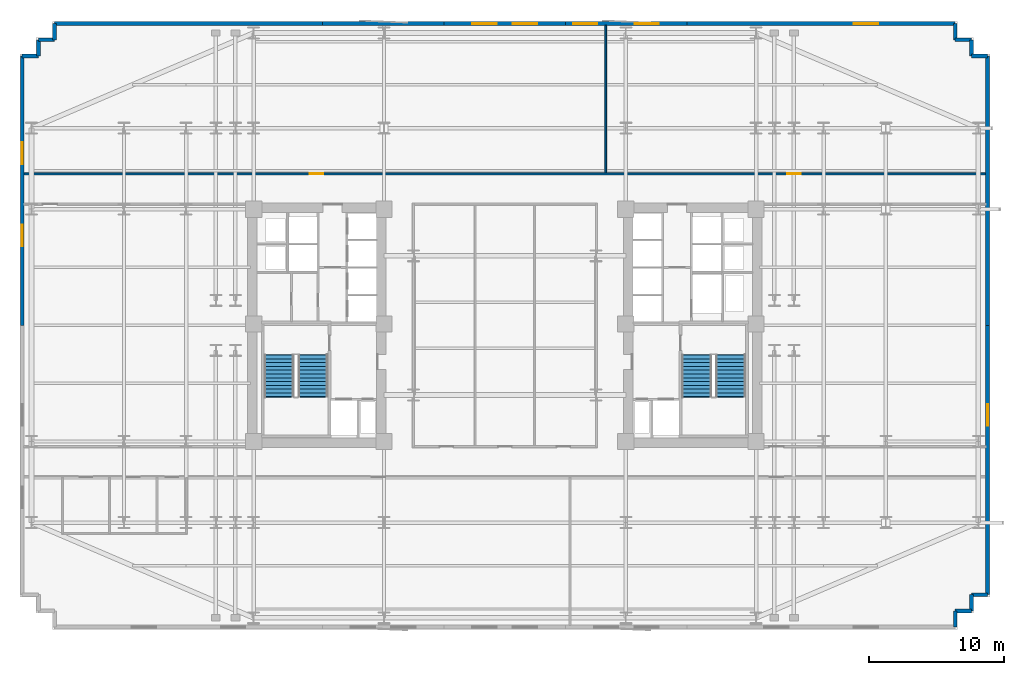
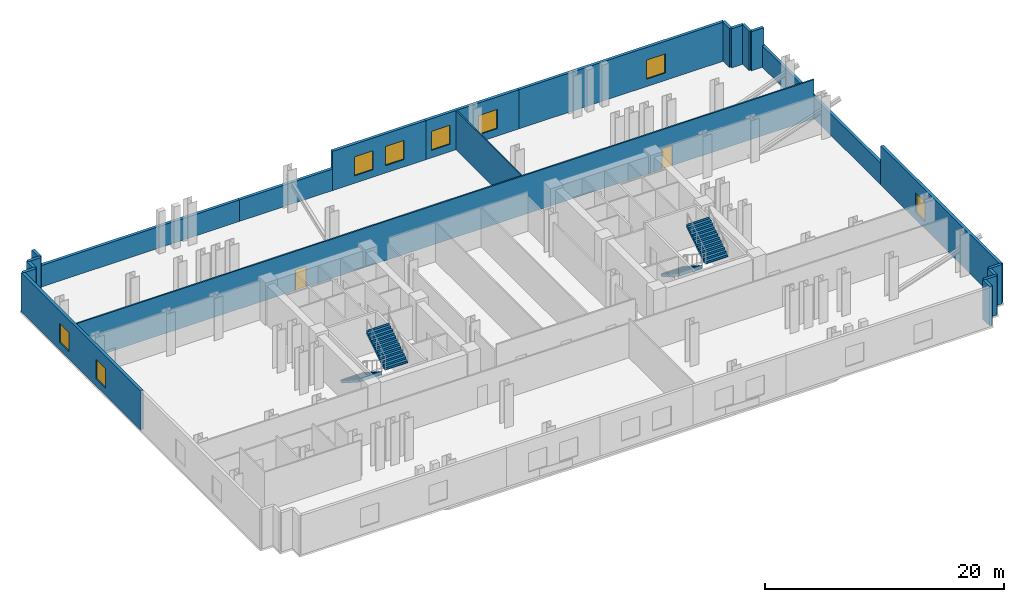
# One storey, part 7 of 9: 22 walls, 8 windows, 4 stair flights, 2 doors, 10 openings, 2 elements without a shape of their own.
"""IFC4 building model written with IfcOpenShell, lengths in metres."""

import ifcopenshell
import ifcopenshell.guid

model = None  # the IFC model being written
_history = None  # IfcOwnerHistory: only IFC2X3 demands one
_inside = {}  # id of a spatial element -> (the spatial element, [elements in it])
_under = {}  # id of a project, library or spatial element -> (it, [spatial elements below it])
_declared = {}  # id of a project -> (the project, [libraries it declares])
_typed = {}  # id of a type object -> (the type object, [elements of that type])
_made_of = {}  # id of a material, layer set ... -> (it, [elements and type objects made of it])


def new_model(schema):
    """Start an empty IFC model of exactly this schema.

    Asked for "IFC4X3", IfcOpenShell would pick the latest addendum, in which some entities
    have other attributes; the version numbers below select the first issue.
    IFC2X3 requires an IfcOwnerHistory on every rooted entity: one is made here for all.
    """
    global model, _history
    if schema == "IFC4X3":
        model = ifcopenshell.file(schema_version=(4, 3, 0, 0))
    else:
        model = ifcopenshell.file(schema=schema)
    _inside.clear()
    _under.clear()
    _declared.clear()
    _typed.clear()
    _made_of.clear()
    _history = None
    if model.schema == "IFC2X3":
        org = make("IfcOrganization", Name="unknown")
        user = make(
            "IfcPersonAndOrganization",
            ThePerson=make("IfcPerson", FamilyName="unknown"),
            TheOrganization=org,
        )
        app = make(
            "IfcApplication",
            ApplicationDeveloper=org,
            Version="unknown",
            ApplicationFullName="unknown",
            ApplicationIdentifier="unknown",
        )
        _history = make(
            "IfcOwnerHistory",
            OwningUser=user,
            OwningApplication=app,
            ChangeAction="ADDED",
            CreationDate=0,
        )
    return model


def make(cls, **values):
    """One entity of the class cls with the attributes given. An attribute that is None is left unset."""
    return model.create_entity(
        cls, **{name: value for name, value in values.items() if value is not None}
    )


def rooted(cls, **values):
    """An entity with a GlobalId (a new one), such as an element, a storey or a relation."""
    return make(cls, GlobalId=ifcopenshell.guid.new(), OwnerHistory=_history, **values)


def si_unit(unit_type, name, prefix=None):
    """IfcSIUnit, for example si_unit("LENGTHUNIT", "METRE", prefix="MILLI")."""
    return make("IfcSIUnit", UnitType=unit_type, Prefix=prefix, Name=name)


def assignment(units):
    """IfcUnitAssignment: the units of a project."""
    return None if units is None else make("IfcUnitAssignment", Units=units)


def point(xyz):
    """IfcCartesianPoint."""
    return None if xyz is None else make("IfcCartesianPoint", Coordinates=xyz)


def direction(xyz):
    """IfcDirection."""
    return None if xyz is None else make("IfcDirection", DirectionRatios=xyz)


def frame(location, z_axis=None, x_axis=None):
    """IfcAxis2Placement3D, a coordinate frame: its origin and axes. An axis left out is left unset."""
    return make(
        "IfcAxis2Placement3D",
        Location=point(location),
        Axis=direction(z_axis),
        RefDirection=direction(x_axis),
    )


def frame_2d(location, x_axis=None):
    """IfcAxis2Placement2D, a coordinate frame in the plane: its origin and x axis."""
    return make(
        "IfcAxis2Placement2D", Location=point(location), RefDirection=direction(x_axis)
    )


def origin():
    """The frame at (0, 0, 0) with its axes left unset."""
    return frame((0.0, 0.0, 0.0))


def place(relative_to, where):
    """IfcLocalPlacement: puts the frame where relative to a parent placement (None: the world)."""
    return make(
        "IfcLocalPlacement", PlacementRelTo=relative_to, RelativePlacement=where
    )


def context(
    kind, dimensions, precision=None, world=None, true_north=None, identifier=None
):
    """IfcGeometricRepresentationContext, for example the 3D "Model" context."""
    return make(
        "IfcGeometricRepresentationContext",
        ContextIdentifier=identifier,
        ContextType=kind,
        CoordinateSpaceDimension=dimensions,
        Precision=precision,
        WorldCoordinateSystem=world,
        TrueNorth=true_north,
    )


def subcontext(parent, identifier, kind, view, scale=None):
    """IfcGeometricRepresentationSubContext, for example "Body" below "Model"."""
    return make(
        "IfcGeometricRepresentationSubContext",
        ContextIdentifier=identifier,
        ContextType=kind,
        ParentContext=parent,
        TargetScale=scale,
        TargetView=view,
    )


def project(units=None, contexts=None):
    """IfcProject with its units and contexts."""
    return rooted(
        "IfcProject",
        Name="project",
        RepresentationContexts=contexts,
        UnitsInContext=assignment(units),
    )


def spatial(cls, under=None, at=None, **own):
    """A site, building, storey or space (cls), placed at a placement, below another one or the project."""
    s = rooted(cls, ObjectPlacement=at, **own)
    if under is not None:
        _under.setdefault(under.id(), (under, []))[1].append(s)
    return s


def polyline(points):
    """IfcPolyline through the points."""
    return make("IfcPolyline", Points=[point(p) for p in points])


def profile(cls, at=None, kind="AREA", **sizes):
    """A parametric profile (cls). Its sizes go by their IFC names, for example OverallWidth=200.0."""
    return make(cls, ProfileType=kind, Position=at, **sizes)


def rectangle(**sizes):
    """IfcRectangleProfileDef."""
    return profile("IfcRectangleProfileDef", **sizes)


def outline(outer, holes=None, kind="AREA"):
    """IfcArbitraryClosedProfileDef: a profile drawn as a closed curve; with holes, ...WithVoids."""
    if holes is None:
        return make("IfcArbitraryClosedProfileDef", ProfileType=kind, OuterCurve=outer)
    return make(
        "IfcArbitraryProfileDefWithVoids",
        ProfileType=kind,
        OuterCurve=outer,
        InnerCurves=holes,
    )


def extrude(swept, where, along, depth):
    """IfcExtrudedAreaSolid: the profile swept, set in the frame where, extruded along a direction by depth."""
    return make(
        "IfcExtrudedAreaSolid",
        SweptArea=swept,
        Position=where,
        ExtrudedDirection=direction(along),
        Depth=depth,
    )


def shape(context_of_items, identifier, shape_type, items):
    """IfcShapeRepresentation: the items that make up one representation, for example the "Body"."""
    return make(
        "IfcShapeRepresentation",
        ContextOfItems=context_of_items,
        RepresentationIdentifier=identifier,
        RepresentationType=shape_type,
        Items=items,
    )


def material(Name=None, Category=None):
    """IfcMaterial."""
    return make("IfcMaterial", Name=Name, Category=Category)


def layer(
    of_material, thickness, ventilated=None, Name=None, Category=None, Priority=None
):
    """IfcMaterialLayer: one layer of a wall or slab, of a material (None: an air gap)."""
    return make(
        "IfcMaterialLayer",
        Material=of_material,
        LayerThickness=thickness,
        IsVentilated=ventilated,
        Name=Name,
        Category=Category,
        Priority=Priority,
    )


def layer_set(layers, Name=None):
    """IfcMaterialLayerSet."""
    return make("IfcMaterialLayerSet", MaterialLayers=layers, LayerSetName=Name)


def made_of(thing, what):
    """Note that an element or type object is made of a material, layer set ...; save() writes the relation."""
    if what is not None:
        _made_of.setdefault(what.id(), (what, []))[1].append(thing)
    return thing


def type_object(cls, material=None, **own):
    """A type object (cls), such as IfcWallType, which elements share."""
    return made_of(rooted(cls, **own), material)


def element(
    cls,
    number,
    at=None,
    inside=None,
    cuts=None,
    type_object=None,
    material=None,
    context=None,
    identifier="Body",
    shape_type=None,
    held_by="IfcProductDefinitionShape",
    body=None,
    shapes=None,
    **own,
):
    """One element of the class cls, such as IfcWall. Its Tag is "e" and its number.

    at: its placement. inside: the storey or other place that contains it. cuts: it is an
    opening in that element (IfcRelVoidsElement). A single representation is given by context,
    identifier, shape_type and body (its items); several are given by shapes. held_by: the class
    of the entity that holds the representations. save() writes the other relations.
    """
    e = rooted(cls, Tag="e%d" % number, ObjectPlacement=at, **own)
    if body is not None:
        shapes = [shape(context, identifier, shape_type, body)]
    if shapes is not None:
        e.Representation = make(held_by, Representations=shapes)
    if inside is not None:
        _inside.setdefault(inside.id(), (inside, []))[1].append(e)
    if cuts is not None:
        rooted(
            "IfcRelVoidsElement", RelatingBuildingElement=cuts, RelatedOpeningElement=e
        )
    if type_object is not None:
        _typed.setdefault(type_object.id(), (type_object, []))[1].append(e)
    return made_of(e, material)


def fill(opening, filler):
    """IfcRelFillsElement: the door or window that sits in an opening."""
    return rooted(
        "IfcRelFillsElement",
        RelatingOpeningElement=opening,
        RelatedBuildingElement=filler,
    )


def aggregate(whole, parts):
    """IfcRelAggregates: a whole, such as a stair, and the parts it consists of."""
    return rooted("IfcRelAggregates", RelatingObject=whole, RelatedObjects=parts)


def save(model, path):
    """Write the relations noted so far, then the file.

    IfcRelAggregates (storeys below a building ...), IfcRelContainedInSpatialStructure (elements
    in a storey), IfcRelDefinesByType, IfcRelAssociatesMaterial and IfcRelDeclares: one each for
    every whole, place, type object, material and project.
    """
    for whole, parts in _under.values():
        aggregate(whole, parts)
    for where, things in _inside.values():
        rooted(
            "IfcRelContainedInSpatialStructure",
            RelatedElements=things,
            RelatingStructure=where,
        )
    for kind, things in _typed.values():
        rooted("IfcRelDefinesByType", RelatedObjects=things, RelatingType=kind)
    for what, things in _made_of.values():
        rooted("IfcRelAssociatesMaterial", RelatedObjects=things, RelatingMaterial=what)
    for by, libraries in _declared.values():
        rooted("IfcRelDeclares", RelatingContext=by, RelatedDefinitions=libraries)
    model.write(path)


model = new_model("IFC4")

# Units and contexts
model_context = context("Model", 3, precision=1e-05, world=origin(), true_north=direction((0.0, 1.0)))
body_context = subcontext(model_context, "Body", "Model", "MODEL_VIEW")
ifc_project = project(units=[si_unit("LENGTHUNIT", "METRE"), si_unit("AREAUNIT", "SQUARE_METRE"), si_unit("VOLUMEUNIT", "CUBIC_METRE"), si_unit("PLANEANGLEUNIT", "RADIAN"), si_unit("MASSUNIT", "GRAM", prefix="KILO")], contexts=[model_context])

# Site, building, storey
site_placement = place(None, origin())
site = spatial("IfcSite", under=ifc_project, at=site_placement, CompositionType="ELEMENT")
building_placement = place(site_placement, origin())
building = spatial("IfcBuilding", under=site, at=building_placement, Name="Velakula Bourse", CompositionType="ELEMENT")
storey_placement = place(building_placement, frame((0.0, 0.0, 65.699951171875)))
storey = spatial("IfcBuildingStorey", under=building, at=storey_placement, Name="L17", CompositionType="ELEMENT", Elevation=65.699951171875)

# Walls
ifc_material_1 = material(Name="Red kilned clay facing brick masonry", Category="masonry")
ifc_layer_1 = layer(ifc_material_1, 0.280029296875, Name="Red kilned clay facing brick masonry", Category="masonry")
ifc_layer_set_1 = layer_set([ifc_layer_1], Name="Red kilned clay facing brick masonry")
wall_type_1 = type_object("IfcWallType", Name="WL-EXT-BRK-280", PredefinedType="STANDARD", material=ifc_layer_set_1)
wall_1_placement = place(storey_placement, frame((-33.340087890625, 22.340087890625, 0.0), z_axis=(0.0, 0.0, 1.0), x_axis=(1.0, 0.0, 0.0)))
element("IfcWall", 1, at=wall_1_placement, inside=storey, type_object=wall_type_1, Name="L17 N Brick Spandrel Wall B1", PredefinedType="STANDARD", context=body_context, shape_type="SweptSolid", body=[
    extrude(rectangle(XDim=19.840087890625, YDim=0.280029296875, at=frame_2d((9.919921875, 0.0))), origin(), (0.0, 0.0, 1.0), 2.195068359375),
])
wall_2_placement = place(storey_placement, frame((-13.5, 22.340087890625, 0.0), z_axis=(0.0, 0.0, 1.0), x_axis=(1.0, 0.0, 0.0)))
element("IfcWall", 2, at=wall_2_placement, inside=storey, type_object=wall_type_1, Name="L17 N Brick Spandrel Wall B2", PredefinedType="STANDARD", context=body_context, shape_type="SweptSolid", body=[
    extrude(rectangle(XDim=9.0, YDim=0.280029296875, at=frame_2d((4.5, 0.0))), origin(), (0.0, 0.0, 1.0), 2.195068359375),
])

# Wall, openings, windows
wall_3_placement = place(storey_placement, frame((-4.5, 22.340087890625, 0.0), z_axis=(0.0, 0.0, 1.0), x_axis=(1.0, 0.0, 0.0)))
wall_3 = element("IfcWall", 3, at=wall_3_placement, inside=storey, type_object=wall_type_1, Name="L17 N Brick Spandrel Wall B3", PredefinedType="STANDARD", context=body_context, shape_type="SweptSolid", body=[
    extrude(rectangle(XDim=9.0, YDim=0.280029296875, at=frame_2d((4.5, 0.0))), origin(), (0.0, 0.0, 1.0), 4.0),
])
opening_1_placement = place(wall_3_placement, frame((2.10009765625, 0.0, 0.760009765625)))
opening_1 = element("IfcOpeningElement", 4, at=opening_1_placement, cuts=wall_3, Name="Opening W-01", PredefinedType="OPENING", context=body_context, shape_type="SweptSolid", body=[
    extrude(rectangle(XDim=1.800048828125, YDim=1.949951171875, at=frame_2d((0.89990234375, 0.97509765625))), frame((0.0, 0.14990234375, 0.0), z_axis=(0.0, -1.0, 0.0), x_axis=(1.0, 0.0, 0.0)), (0.0, 0.0, 1.0), 0.300048828125),
])
opening_2_placement = place(wall_3_placement, frame((5.10009765625, 0.0, 0.760009765625)))
opening_2 = element("IfcOpeningElement", 5, at=opening_2_placement, cuts=wall_3, Name="Opening W-01", PredefinedType="OPENING", context=body_context, shape_type="SweptSolid", body=[
    extrude(rectangle(XDim=1.800048828125, YDim=1.949951171875, at=frame_2d((0.89990234375, 0.97509765625))), frame((0.0, 0.14990234375, 0.0), z_axis=(0.0, -1.0, 0.0), x_axis=(1.0, 0.0, 0.0)), (0.0, 0.0, 1.0), 0.300048828125),
])
ifc_material_2 = material(Name="Double-glazed solar-control Low-E glass", Category="glass")
window_type_1 = type_object("IfcWindowType", Name="WIN-TWR-1800x2100", PartitioningType="SINGLE_PANEL", PredefinedType="WINDOW", material=ifc_material_2)
window_1_placement = place(opening_1_placement, origin())
window_1 = element("IfcWindow", 6, at=window_1_placement, inside=storey, type_object=window_type_1, Name="L17 Deep-Set Recessed Window 1", OverallHeight=1.949951171875, OverallWidth=1.800048828125, PartitioningType="SINGLE_PANEL", PredefinedType="WINDOW", context=body_context, shape_type="SweptSolid", body=[
    extrude(rectangle(XDim=1.800048828125, YDim=1.949951171875, at=frame_2d((0.89990234375, 0.97509765625))), frame((0.0, 0.030029296875, 0.0), z_axis=(0.0, -1.0, 0.0), x_axis=(1.0, 0.0, 0.0)), (0.0, 0.0, 1.0), 0.06005859375),
])
fill(opening_1, window_1)
window_2_placement = place(opening_2_placement, origin())
window_2 = element("IfcWindow", 7, at=window_2_placement, inside=storey, type_object=window_type_1, Name="L17 Deep-Set Recessed Window 2", OverallHeight=1.949951171875, OverallWidth=1.800048828125, PartitioningType="SINGLE_PANEL", PredefinedType="WINDOW", context=body_context, shape_type="SweptSolid", body=[
    extrude(rectangle(XDim=1.800048828125, YDim=1.949951171875, at=frame_2d((0.89990234375, 0.97509765625))), frame((0.0, 0.030029296875, 0.0), z_axis=(0.0, -1.0, 0.0), x_axis=(1.0, 0.0, 0.0)), (0.0, 0.0, 1.0), 0.06005859375),
])
fill(opening_2, window_2)

wall_4_placement = place(storey_placement, frame((4.5, 22.340087890625, 0.0), z_axis=(0.0, 0.0, 1.0), x_axis=(1.0, 0.0, 0.0)))
wall_4 = element("IfcWall", 8, at=wall_4_placement, inside=storey, type_object=wall_type_1, Name="L17 N Brick Spandrel Wall B4", PredefinedType="STANDARD", context=body_context, shape_type="SweptSolid", body=[
    extrude(rectangle(XDim=9.0, YDim=0.280029296875, at=frame_2d((4.5, 0.0))), origin(), (0.0, 0.0, 1.0), 4.0),
])
opening_3_placement = place(wall_4_placement, frame((0.550048828125, 0.0, 0.760009765625)))
opening_3 = element("IfcOpeningElement", 9, at=opening_3_placement, cuts=wall_4, Name="Opening W-01", PredefinedType="OPENING", context=body_context, shape_type="SweptSolid", body=[
    extrude(rectangle(XDim=1.800048828125, YDim=1.949951171875, at=frame_2d((0.89990234375, 0.97509765625))), frame((0.0, 0.14990234375, 0.0), z_axis=(0.0, -1.0, 0.0), x_axis=(1.0, 0.0, 0.0)), (0.0, 0.0, 1.0), 0.300048828125),
])
opening_4_placement = place(wall_4_placement, frame((5.10009765625, 0.0, 0.760009765625)))
opening_4 = element("IfcOpeningElement", 10, at=opening_4_placement, cuts=wall_4, Name="Opening W-01", PredefinedType="OPENING", context=body_context, shape_type="SweptSolid", body=[
    extrude(rectangle(XDim=1.800048828125, YDim=1.949951171875, at=frame_2d((0.89990234375, 0.97509765625))), frame((0.0, 0.14990234375, 0.0), z_axis=(0.0, -1.0, 0.0), x_axis=(1.0, 0.0, 0.0)), (0.0, 0.0, 1.0), 0.300048828125),
])
window_3_placement = place(opening_3_placement, origin())
window_3 = element("IfcWindow", 11, at=window_3_placement, inside=storey, type_object=window_type_1, Name="L17 Deep-Set Recessed Window 1", OverallHeight=1.949951171875, OverallWidth=1.800048828125, PartitioningType="SINGLE_PANEL", PredefinedType="WINDOW", context=body_context, shape_type="SweptSolid", body=[
    extrude(rectangle(XDim=1.800048828125, YDim=1.949951171875, at=frame_2d((0.89990234375, 0.97509765625))), frame((0.0, 0.030029296875, 0.0), z_axis=(0.0, -1.0, 0.0), x_axis=(1.0, 0.0, 0.0)), (0.0, 0.0, 1.0), 0.06005859375),
])
fill(opening_3, window_3)
window_4_placement = place(opening_4_placement, origin())
window_4 = element("IfcWindow", 12, at=window_4_placement, inside=storey, type_object=window_type_1, Name="L17 Deep-Set Recessed Window 2", OverallHeight=1.949951171875, OverallWidth=1.800048828125, PartitioningType="SINGLE_PANEL", PredefinedType="WINDOW", context=body_context, shape_type="SweptSolid", body=[
    extrude(rectangle(XDim=1.800048828125, YDim=1.949951171875, at=frame_2d((0.89990234375, 0.97509765625))), frame((0.0, 0.030029296875, 0.0), z_axis=(0.0, -1.0, 0.0), x_axis=(1.0, 0.0, 0.0)), (0.0, 0.0, 1.0), 0.06005859375),
])
fill(opening_4, window_4)

# Wall, opening, window
wall_5_placement = place(storey_placement, frame((13.5, 22.340087890625, 0.0), z_axis=(0.0, 0.0, 1.0), x_axis=(1.0, 0.0, 0.0)))
wall_5 = element("IfcWall", 13, at=wall_5_placement, inside=storey, type_object=wall_type_1, Name="L17 N Brick Spandrel Wall B5", PredefinedType="STANDARD", context=body_context, shape_type="SweptSolid", body=[
    extrude(rectangle(XDim=19.840087890625, YDim=0.280029296875, at=frame_2d((9.919921875, 0.0))), origin(), (0.0, 0.0, 1.0), 4.0),
])
opening_5_placement = place(wall_5_placement, frame((12.32666015625, 0.0, 0.760009765625)))
opening_5 = element("IfcOpeningElement", 14, at=opening_5_placement, cuts=wall_5, Name="Opening W-01", PredefinedType="OPENING", context=body_context, shape_type="SweptSolid", body=[
    extrude(rectangle(XDim=1.800048828125, YDim=1.949951171875, at=frame_2d((0.89990234375, 0.97509765625))), frame((0.0, 0.14990234375, 0.0), z_axis=(0.0, -1.0, 0.0), x_axis=(1.0, 0.0, 0.0)), (0.0, 0.0, 1.0), 0.300048828125),
])
window_5_placement = place(opening_5_placement, origin())
window_5 = element("IfcWindow", 15, at=window_5_placement, inside=storey, type_object=window_type_1, Name="L17 Deep-Set Recessed Window 1", OverallHeight=1.949951171875, OverallWidth=1.800048828125, PartitioningType="SINGLE_PANEL", PredefinedType="WINDOW", context=body_context, shape_type="SweptSolid", body=[
    extrude(rectangle(XDim=1.800048828125, YDim=1.949951171875, at=frame_2d((0.89990234375, 0.97509765625))), frame((0.0, 0.030029296875, 0.0), z_axis=(0.0, -1.0, 0.0), x_axis=(1.0, 0.0, 0.0)), (0.0, 0.0, 1.0), 0.06005859375),
])
fill(opening_5, window_5)

# Wall, openings, windows
wall_6_placement = place(storey_placement, frame((-35.739990234375, 0.0, 0.0), z_axis=(0.0, 0.0, 1.0), x_axis=(0.0, 1.0, 0.0)))
wall_6 = element("IfcWall", 16, at=wall_6_placement, inside=storey, type_object=wall_type_1, Name="L17 W Brick End Wall W2", PredefinedType="STANDARD", context=body_context, shape_type="SweptSolid", body=[
    extrude(rectangle(XDim=19.93994140625, YDim=0.280029296875, at=frame_2d((9.969970703125, 0.0))), origin(), (0.0, 0.0, 1.0), 4.0),
])
opening_6_placement = place(wall_6_placement, frame((5.8466796875, 0.0, 0.760009765625)))
opening_6 = element("IfcOpeningElement", 17, at=opening_6_placement, cuts=wall_6, Name="Opening W-02", PredefinedType="OPENING", context=body_context, shape_type="SweptSolid", body=[
    extrude(rectangle(XDim=1.60009765625, YDim=1.949951171875, at=frame_2d((0.800048828125, 0.97509765625))), frame((0.0, 0.14990234375, 0.0), z_axis=(0.0, -1.0, 0.0), x_axis=(1.0, 0.0, 0.0)), (0.0, 0.0, 1.0), 0.300048828125),
])
opening_7_placement = place(wall_6_placement, frame((11.943359375, 0.0, 0.760009765625)))
opening_7 = element("IfcOpeningElement", 18, at=opening_7_placement, cuts=wall_6, Name="Opening W-02", PredefinedType="OPENING", context=body_context, shape_type="SweptSolid", body=[
    extrude(rectangle(XDim=1.60009765625, YDim=1.949951171875, at=frame_2d((0.800048828125, 0.97509765625))), frame((0.0, 0.14990234375, 0.0), z_axis=(0.0, -1.0, 0.0), x_axis=(1.0, 0.0, 0.0)), (0.0, 0.0, 1.0), 0.300048828125),
])
window_type_2 = type_object("IfcWindowType", Name="WIN-TWR-1600x2100", PartitioningType="SINGLE_PANEL", PredefinedType="WINDOW", material=ifc_material_2)
window_6_placement = place(opening_6_placement, origin())
window_6 = element("IfcWindow", 19, at=window_6_placement, inside=storey, type_object=window_type_2, Name="L17 Deep-Set Recessed Window 1", OverallHeight=1.949951171875, OverallWidth=1.60009765625, PartitioningType="SINGLE_PANEL", PredefinedType="WINDOW", context=body_context, shape_type="SweptSolid", body=[
    extrude(rectangle(XDim=1.60009765625, YDim=1.949951171875, at=frame_2d((0.800048828125, 0.97509765625))), frame((0.0, 0.030029296875, 0.0), z_axis=(0.0, -1.0, 0.0), x_axis=(1.0, 0.0, 0.0)), (0.0, 0.0, 1.0), 0.06005859375),
])
fill(opening_6, window_6)
window_7_placement = place(opening_7_placement, origin())
window_7 = element("IfcWindow", 20, at=window_7_placement, inside=storey, type_object=window_type_2, Name="L17 Deep-Set Recessed Window 2", OverallHeight=1.949951171875, OverallWidth=1.60009765625, PartitioningType="SINGLE_PANEL", PredefinedType="WINDOW", context=body_context, shape_type="SweptSolid", body=[
    extrude(rectangle(XDim=1.60009765625, YDim=1.949951171875, at=frame_2d((0.800048828125, 0.97509765625))), frame((0.0, 0.030029296875, 0.0), z_axis=(0.0, -1.0, 0.0), x_axis=(1.0, 0.0, 0.0)), (0.0, 0.0, 1.0), 0.06005859375),
])
fill(opening_7, window_7)

# Wall, opening, window
wall_7_placement = place(storey_placement, frame((35.739990234375, 0.0, 0.0), z_axis=(0.0, 0.0, 1.0), x_axis=(0.0, -1.0, 0.0)))
wall_7 = element("IfcWall", 21, at=wall_7_placement, inside=storey, type_object=wall_type_1, Name="L17 E Brick End Wall W1", PredefinedType="STANDARD", context=body_context, shape_type="SweptSolid", body=[
    extrude(rectangle(XDim=19.93994140625, YDim=0.280029296875, at=frame_2d((9.969970703125, 0.0))), origin(), (0.0, 0.0, 1.0), 4.0),
])
opening_8_placement = place(wall_7_placement, frame((5.8466796875, 0.0, 0.760009765625)))
opening_8 = element("IfcOpeningElement", 22, at=opening_8_placement, cuts=wall_7, Name="Opening W-02", PredefinedType="OPENING", context=body_context, shape_type="SweptSolid", body=[
    extrude(rectangle(XDim=1.60009765625, YDim=1.949951171875, at=frame_2d((0.800048828125, 0.97509765625))), frame((0.0, 0.14990234375, 0.0), z_axis=(0.0, -1.0, 0.0), x_axis=(1.0, 0.0, 0.0)), (0.0, 0.0, 1.0), 0.300048828125),
])
window_8_placement = place(opening_8_placement, origin())
window_8 = element("IfcWindow", 23, at=window_8_placement, inside=storey, type_object=window_type_2, Name="L17 Deep-Set Recessed Window 1", OverallHeight=1.949951171875, OverallWidth=1.60009765625, PartitioningType="SINGLE_PANEL", PredefinedType="WINDOW", context=body_context, shape_type="SweptSolid", body=[
    extrude(rectangle(XDim=1.60009765625, YDim=1.949951171875, at=frame_2d((0.800048828125, 0.97509765625))), frame((0.0, 0.030029296875, 0.0), z_axis=(0.0, -1.0, 0.0), x_axis=(1.0, 0.0, 0.0)), (0.0, 0.0, 1.0), 0.06005859375),
])
fill(opening_8, window_8)

# Walls
wall_8_placement = place(storey_placement, frame((35.739990234375, 19.93994140625, 0.0), z_axis=(0.0, 0.0, 1.0), x_axis=(0.0, -1.0, 0.0)))
element("IfcWall", 24, at=wall_8_placement, inside=storey, type_object=wall_type_1, Name="L17 E Brick End Wall W2", PredefinedType="STANDARD", context=body_context, shape_type="SweptSolid", body=[
    extrude(rectangle(XDim=19.93994140625, YDim=0.280029296875, at=frame_2d((9.969970703125, 0.0))), origin(), (0.0, 0.0, 1.0), 2.195068359375),
])
wall_9_placement = place(storey_placement, frame((33.340087890625, -22.340087890625, 0.0), z_axis=(0.0, 0.0, 1.0), x_axis=(0.0, 1.0, 0.0)))
element("IfcWall", 25, at=wall_9_placement, inside=storey, type_object=wall_type_1, Name="L17 Serrated Corner Brick Wall SE-1", PredefinedType="STANDARD", context=body_context, shape_type="SweptSolid", body=[
    extrude(rectangle(XDim=1.2001953125, YDim=0.280029296875, at=frame_2d((0.60009765625, 0.0))), origin(), (0.0, 0.0, 1.0), 4.0),
])
for number, where, z_axis, x_axis, name in (
    (26, (33.340087890625, -21.139892578125, 0.0), (0.0, 0.0, 1.0), (1.0, 0.0, 0.0), "L17 Serrated Corner Brick Wall SE-2"),
    (27, (34.5400390625, -21.139892578125, 0.0), (0.0, 0.0, 1.0), (0.0, 1.0, 0.0), "L17 Serrated Corner Brick Wall SE-3"),
    (28, (34.5400390625, -19.93994140625, 0.0), (0.0, 0.0, 1.0), (1.0, 0.0, 0.0), "L17 Serrated Corner Brick Wall SE-4"),
    (29, (35.739990234375, 19.93994140625, 0.0), (0.0, 0.0, 1.0), (-1.0, 0.0, 0.0), "L17 Serrated Corner Brick Wall NE-1"),
    (30, (34.5400390625, 19.93994140625, 0.0), (0.0, 0.0, 1.0), (0.0, 1.0, 0.0), "L17 Serrated Corner Brick Wall NE-2"),
    (31, (34.5400390625, 21.139892578125, 0.0), (0.0, 0.0, 1.0), (-1.0, 0.0, 0.0), "L17 Serrated Corner Brick Wall NE-3"),
):
    element("IfcWall", number, at=place(storey_placement, frame(where, z_axis=z_axis, x_axis=x_axis)), inside=storey, type_object=wall_type_1, Name=name, PredefinedType="STANDARD", context=body_context, shape_type="SweptSolid", body=[
        extrude(rectangle(XDim=1.199951171875, YDim=0.280029296875, at=frame_2d((0.60009765625, 0.0))), origin(), (0.0, 0.0, 1.0), 4.0),
    ])
for number, where, z_axis, x_axis, name in (
    (32, (33.340087890625, 21.139892578125, 0.0), (0.0, 0.0, 1.0), (0.0, 1.0, 0.0), "L17 Serrated Corner Brick Wall NE-4"),
    (33, (-33.340087890625, 22.340087890625, 0.0), (0.0, 0.0, 1.0), (0.0, -1.0, 0.0), "L17 Serrated Corner Brick Wall NW-1"),
):
    element("IfcWall", number, at=place(storey_placement, frame(where, z_axis=z_axis, x_axis=x_axis)), inside=storey, type_object=wall_type_1, Name=name, PredefinedType="STANDARD", context=body_context, shape_type="SweptSolid", body=[
        extrude(rectangle(XDim=1.2001953125, YDim=0.280029296875, at=frame_2d((0.60009765625, 0.0))), origin(), (0.0, 0.0, 1.0), 4.0),
    ])
for number, where, z_axis, x_axis, name in (
    (34, (-33.340087890625, 21.139892578125, 0.0), (0.0, 0.0, 1.0), (-1.0, 0.0, 0.0), "L17 Serrated Corner Brick Wall NW-2"),
    (35, (-34.5400390625, 21.139892578125, 0.0), (0.0, 0.0, 1.0), (0.0, -1.0, 0.0), "L17 Serrated Corner Brick Wall NW-3"),
    (36, (-34.5400390625, 19.93994140625, 0.0), (0.0, 0.0, 1.0), (-1.0, 0.0, 0.0), "L17 Serrated Corner Brick Wall NW-4"),
):
    element("IfcWall", number, at=place(storey_placement, frame(where, z_axis=z_axis, x_axis=x_axis)), inside=storey, type_object=wall_type_1, Name=name, PredefinedType="STANDARD", context=body_context, shape_type="SweptSolid", body=[
        extrude(rectangle(XDim=1.199951171875, YDim=0.280029296875, at=frame_2d((0.60009765625, 0.0))), origin(), (0.0, 0.0, 1.0), 4.0),
    ])
ifc_material_3 = material(Name="Fire-rated double-layer gypsum drywall partition", Category="gypsum")
ifc_layer_2 = layer(ifc_material_3, 0.1201171875, Name="Fire-rated double-layer gypsum drywall partition", Category="gypsum")
ifc_layer_set_2 = layer_set([ifc_layer_2], Name="Fire-rated double-layer gypsum drywall partition")
wall_type_2 = type_object("IfcWallType", Name="WL-PART-120", PredefinedType="STANDARD", material=ifc_layer_set_2)
wall_10_placement = place(storey_placement, frame((7.468017578125, 11.2900390625, 0.0), z_axis=(0.0, 0.0, 1.0), x_axis=(0.0, 1.0, 0.0)))
element("IfcWall", 37, at=wall_10_placement, inside=storey, type_object=wall_type_2, Name="L17 Interior Partition WL-INT-L17-N-D1", PredefinedType="STANDARD", context=body_context, shape_type="SweptSolid", body=[
    extrude(rectangle(XDim=10.929931640625, YDim=0.1201171875, at=frame_2d((5.46484375, 0.0))), origin(), (0.0, 0.0, 1.0), 4.0),
])

# Wall, openings, doors
ifc_layer_3 = layer(ifc_material_3, 0.139892578125, Name="Fire-rated double-layer gypsum drywall partition", Category="gypsum")
ifc_layer_set_3 = layer_set([ifc_layer_3], Name="Fire-rated double-layer gypsum drywall partition")
wall_type_3 = type_object("IfcWallType", Name="WL-PART-140", PredefinedType="STANDARD", material=ifc_layer_set_3)
wall_11_placement = place(storey_placement, frame((-35.6201171875, 11.219970703125, 0.0), z_axis=(0.0, 0.0, 1.0), x_axis=(1.0, 0.0, 0.0)))
wall_11 = element("IfcWall", 38, at=wall_11_placement, inside=storey, type_object=wall_type_3, Name="L17 Interior Partition WL-INT-L17-N-CORR", PredefinedType="STANDARD", context=body_context, shape_type="SweptSolid", body=[
    extrude(rectangle(XDim=71.240234375, YDim=0.139892578125, at=frame_2d((35.6201171875, 0.0))), origin(), (0.0, 0.0, 1.0), 4.0),
])
opening_9_placement = place(wall_11_placement, frame((21.169921875, 0.0, 0.0)))
opening_9 = element("IfcOpeningElement", 39, at=opening_9_placement, cuts=wall_11, Name="Opening D-OF1", PredefinedType="OPENING", context=body_context, shape_type="SweptSolid", body=[
    extrude(rectangle(XDim=1.0, YDim=2.080078125, at=frame_2d((0.5, 1.0400390625))), frame((0.0, 0.079833984375, 0.0), z_axis=(0.0, -1.0, 0.0), x_axis=(1.0, 0.0, 0.0)), (0.0, 0.0, 1.0), 0.159912109375),
])
opening_10_placement = place(wall_11_placement, frame((56.5380859375, 0.0, 0.0)))
opening_10 = element("IfcOpeningElement", 40, at=opening_10_placement, cuts=wall_11, Name="Opening D-OF1", PredefinedType="OPENING", context=body_context, shape_type="SweptSolid", body=[
    extrude(rectangle(XDim=1.0, YDim=2.080078125, at=frame_2d((0.5, 1.0400390625))), frame((0.0, 0.079833984375, 0.0), z_axis=(0.0, -1.0, 0.0), x_axis=(1.0, 0.0, 0.0)), (0.0, 0.0, 1.0), 0.159912109375),
])
ifc_material_4 = material(Name="Fire-rated hardwood flush architectural door", Category="wood")
door_type = type_object("IfcDoorType", Name="DR-OFF-1000", OperationType="NOTDEFINED", PredefinedType="DOOR", material=ifc_material_4)
door_1_placement = place(opening_9_placement, origin())
door_1 = element("IfcDoor", 41, at=door_1_placement, inside=storey, type_object=door_type, Name="L17 Quantitative Research Workspace Door", OperationType="SINGLE_SWING_LEFT", OverallHeight=2.080078125, OverallWidth=1.0, PredefinedType="DOOR", context=body_context, shape_type="SweptSolid", body=[
    extrude(rectangle(XDim=1.0, YDim=2.080078125, at=frame_2d((0.5, 1.0400390625))), frame((0.0, 0.02490234375, 0.0), z_axis=(0.0, -1.0, 0.0), x_axis=(1.0, 0.0, 0.0)), (0.0, 0.0, 1.0), 0.050048828125),
])
fill(opening_9, door_1)
door_2_placement = place(opening_10_placement, origin())
door_2 = element("IfcDoor", 42, at=door_2_placement, inside=storey, type_object=door_type, Name="L17 Peer Review Boardroom Door", OperationType="SINGLE_SWING_RIGHT", OverallHeight=2.080078125, OverallWidth=1.0, PredefinedType="DOOR", context=body_context, shape_type="SweptSolid", body=[
    extrude(rectangle(XDim=1.0, YDim=2.080078125, at=frame_2d((0.5, 1.0400390625))), frame((0.0, 0.02490234375, 0.0), z_axis=(0.0, -1.0, 0.0), x_axis=(1.0, 0.0, 0.0)), (0.0, 0.0, 1.0), 0.050048828125),
])
fill(opening_10, door_2)

# Stair, stair flights
ifc_material_5 = material(Name="Concrete M45 (fck 45 MPa)", Category="concrete")
stair_type = type_object("IfcStairType", Name="STR-DOG-435", PredefinedType="HALF_TURN_STAIR", material=ifc_material_5)
stair_1_placement = place(storey_placement, origin())
stair_1 = element("IfcStair", 43, at=stair_1_placement, inside=storey, type_object=stair_type, Name="L17 West Core Exit Stair ST-W1", PredefinedType="HALF_TURN_STAIR")
ifc_layer_4 = layer(ifc_material_5, 0.199951171875, Name="Concrete M45 (fck 45 MPa)", Category="concrete")
ifc_layer_set_4 = layer_set([ifc_layer_4], Name="Concrete M45 (fck 45 MPa)")
stair_flight_type = type_object("IfcStairFlightType", Name="FLT-DOG-435", PredefinedType="STRAIGHT", material=ifc_layer_set_4)
stair_flight_1_placement = place(storey_placement, frame((-16.720947265625, -2.199951171875, 0.0), z_axis=(0.0, 0.0, 1.0), x_axis=(0.0, -1.0, 0.0)))
stair_flight_1 = element("IfcStairFlight", 44, at=stair_flight_1_placement, type_object=stair_flight_type, Name="ST-W1 flight 1", NumberOfRisers=12, NumberOfTreads=11, PredefinedType="STRAIGHT", RiserHeight=0.179166667, TreadLength=0.28, context=body_context, shape_type="SweptSolid", body=[
    extrude(outline(polyline([(-0.044921875, -0.0400390625), (-0.044921875, -0.036865234375), (-0.044921875, -0.033935546875), (-0.044921875, -0.03076171875), (-0.044921875, -0.027587890625), (-0.044921875, -0.024658203125), (-0.044921875, -0.021484375), (-0.044921875, -0.0185546875), (-0.044921875, -0.015380859375), (-0.044921875, -0.01220703125), (-0.044921875, -0.00927734375), (-0.044921875, -0.006103515625), (-0.044921875, -0.003173828125), (-0.044921875, 0.0), (0.0, 0.0), (0.0, 0.17919921875), (0.280029296875, 0.17919921875), (0.280029296875, 0.3583984375), (0.56005859375, 0.3583984375), (0.56005859375, 0.53759765625), (0.840087890625, 0.53759765625), (0.840087890625, 0.716552734375), (1.1201171875, 0.716552734375), (1.1201171875, 0.895751953125), (1.39990234375, 0.895751953125), (1.39990234375, 1.074951171875), (1.679931640625, 1.074951171875), (1.679931640625, 1.254150390625), (1.9599609375, 1.254150390625), (1.9599609375, 1.433349609375), (2.239990234375, 1.433349609375), (2.239990234375, 1.612548828125), (2.52001953125, 1.612548828125), (2.52001953125, 1.791748046875), (2.800048828125, 1.791748046875), (2.800048828125, 1.970947265625), (3.080078125, 1.970947265625), (3.080078125, 2.14990234375), (3.125, 2.14990234375), (3.125, 2.12451171875), (3.125, 2.098876953125), (3.125, 2.073486328125), (3.125, 2.0478515625), (3.125, 2.0224609375), (3.125, 1.996826171875), (3.125, 1.971435546875), (3.125, 1.946044921875), (3.125, 1.92041015625), (3.125, 1.89501953125), (3.125, 1.869384765625), (3.125, 1.843994140625), (3.125, 1.818359375), (3.125, 1.79296875), (0.278076171875, -0.0400390625), (-0.044921875, -0.0400390625)])), frame((0.0, 1.09912109375, 0.0), z_axis=(0.0, -1.0, 0.0), x_axis=(1.0, 0.0, 0.0)), (0.0, 0.0, 1.0), 2.197998046875),
])
stair_flight_2_placement = place(storey_placement, frame((-14.198974609375, -5.280029296875, 2.150146484375), z_axis=(0.0, 0.0, 1.0), x_axis=(0.0, 1.0, 0.0)))
stair_flight_2 = element("IfcStairFlight", 45, at=stair_flight_2_placement, type_object=stair_flight_type, Name="ST-W1 flight 2", NumberOfRisers=12, NumberOfTreads=11, PredefinedType="STRAIGHT", RiserHeight=0.179166667, TreadLength=0.28, context=body_context, shape_type="SweptSolid", body=[
    extrude(outline(polyline([(-0.044921875, -0.0400390625), (-0.044921875, -0.036865234375), (-0.044921875, -0.033935546875), (-0.044921875, -0.03076171875), (-0.044921875, -0.027587890625), (-0.044921875, -0.024658203125), (-0.044921875, -0.021484375), (-0.044921875, -0.0185546875), (-0.044921875, -0.015380859375), (-0.044921875, -0.01220703125), (-0.044921875, -0.00927734375), (-0.044921875, -0.006103515625), (-0.044921875, -0.003173828125), (-0.044921875, 0.0), (0.0, 0.0), (0.0, 0.17919921875), (0.280029296875, 0.17919921875), (0.280029296875, 0.3583984375), (0.56005859375, 0.3583984375), (0.56005859375, 0.53759765625), (0.840087890625, 0.53759765625), (0.840087890625, 0.716552734375), (1.1201171875, 0.716552734375), (1.1201171875, 0.895751953125), (1.39990234375, 0.895751953125), (1.39990234375, 1.074951171875), (1.679931640625, 1.074951171875), (1.679931640625, 1.254150390625), (1.9599609375, 1.254150390625), (1.9599609375, 1.433349609375), (2.239990234375, 1.433349609375), (2.239990234375, 1.612548828125), (2.52001953125, 1.612548828125), (2.52001953125, 1.791748046875), (2.800048828125, 1.791748046875), (2.800048828125, 1.970947265625), (3.080078125, 1.970947265625), (3.080078125, 2.14990234375), (3.125, 2.14990234375), (3.125, 2.12451171875), (3.125, 2.098876953125), (3.125, 2.073486328125), (3.125, 2.0478515625), (3.125, 2.0224609375), (3.125, 1.996826171875), (3.125, 1.971435546875), (3.125, 1.946044921875), (3.125, 1.92041015625), (3.125, 1.89501953125), (3.125, 1.869384765625), (3.125, 1.843994140625), (3.125, 1.818359375), (3.125, 1.79296875), (0.278076171875, -0.0400390625), (-0.044921875, -0.0400390625)])), frame((0.0, 1.09912109375, 0.0), z_axis=(0.0, -1.0, 0.0), x_axis=(1.0, 0.0, 0.0)), (0.0, 0.0, 1.0), 2.197998046875),
])
aggregate(stair_1, [stair_flight_1, stair_flight_2])

stair_2_placement = place(storey_placement, origin())
stair_2 = element("IfcStair", 46, at=stair_2_placement, inside=storey, type_object=stair_type, Name="L17 East Core Exit Stair ST-E1", PredefinedType="HALF_TURN_STAIR")
stair_flight_3_placement = place(storey_placement, frame((14.198974609375, -2.199951171875, 0.0), z_axis=(0.0, 0.0, 1.0), x_axis=(0.0, -1.0, 0.0)))
stair_flight_3 = element("IfcStairFlight", 47, at=stair_flight_3_placement, type_object=stair_flight_type, Name="ST-E1 flight 1", NumberOfRisers=12, NumberOfTreads=11, PredefinedType="STRAIGHT", RiserHeight=0.179166667, TreadLength=0.28, context=body_context, shape_type="SweptSolid", body=[
    extrude(outline(polyline([(-0.044921875, -0.0400390625), (-0.044921875, -0.036865234375), (-0.044921875, -0.033935546875), (-0.044921875, -0.03076171875), (-0.044921875, -0.027587890625), (-0.044921875, -0.024658203125), (-0.044921875, -0.021484375), (-0.044921875, -0.0185546875), (-0.044921875, -0.015380859375), (-0.044921875, -0.01220703125), (-0.044921875, -0.00927734375), (-0.044921875, -0.006103515625), (-0.044921875, -0.003173828125), (-0.044921875, 0.0), (0.0, 0.0), (0.0, 0.17919921875), (0.280029296875, 0.17919921875), (0.280029296875, 0.3583984375), (0.56005859375, 0.3583984375), (0.56005859375, 0.53759765625), (0.840087890625, 0.53759765625), (0.840087890625, 0.716552734375), (1.1201171875, 0.716552734375), (1.1201171875, 0.895751953125), (1.39990234375, 0.895751953125), (1.39990234375, 1.074951171875), (1.679931640625, 1.074951171875), (1.679931640625, 1.254150390625), (1.9599609375, 1.254150390625), (1.9599609375, 1.433349609375), (2.239990234375, 1.433349609375), (2.239990234375, 1.612548828125), (2.52001953125, 1.612548828125), (2.52001953125, 1.791748046875), (2.800048828125, 1.791748046875), (2.800048828125, 1.970947265625), (3.080078125, 1.970947265625), (3.080078125, 2.14990234375), (3.125, 2.14990234375), (3.125, 2.12451171875), (3.125, 2.098876953125), (3.125, 2.073486328125), (3.125, 2.0478515625), (3.125, 2.0224609375), (3.125, 1.996826171875), (3.125, 1.971435546875), (3.125, 1.946044921875), (3.125, 1.92041015625), (3.125, 1.89501953125), (3.125, 1.869384765625), (3.125, 1.843994140625), (3.125, 1.818359375), (3.125, 1.79296875), (0.278076171875, -0.0400390625), (-0.044921875, -0.0400390625)])), frame((0.0, 1.09912109375, 0.0), z_axis=(0.0, -1.0, 0.0), x_axis=(1.0, 0.0, 0.0)), (0.0, 0.0, 1.0), 2.197998046875),
])
stair_flight_4_placement = place(storey_placement, frame((16.720947265625, -5.280029296875, 2.150146484375), z_axis=(0.0, 0.0, 1.0), x_axis=(0.0, 1.0, 0.0)))
stair_flight_4 = element("IfcStairFlight", 48, at=stair_flight_4_placement, type_object=stair_flight_type, Name="ST-E1 flight 2", NumberOfRisers=12, NumberOfTreads=11, PredefinedType="STRAIGHT", RiserHeight=0.179166667, TreadLength=0.28, context=body_context, shape_type="SweptSolid", body=[
    extrude(outline(polyline([(-0.044921875, -0.0400390625), (-0.044921875, -0.036865234375), (-0.044921875, -0.033935546875), (-0.044921875, -0.03076171875), (-0.044921875, -0.027587890625), (-0.044921875, -0.024658203125), (-0.044921875, -0.021484375), (-0.044921875, -0.0185546875), (-0.044921875, -0.015380859375), (-0.044921875, -0.01220703125), (-0.044921875, -0.00927734375), (-0.044921875, -0.006103515625), (-0.044921875, -0.003173828125), (-0.044921875, 0.0), (0.0, 0.0), (0.0, 0.17919921875), (0.280029296875, 0.17919921875), (0.280029296875, 0.3583984375), (0.56005859375, 0.3583984375), (0.56005859375, 0.53759765625), (0.840087890625, 0.53759765625), (0.840087890625, 0.716552734375), (1.1201171875, 0.716552734375), (1.1201171875, 0.895751953125), (1.39990234375, 0.895751953125), (1.39990234375, 1.074951171875), (1.679931640625, 1.074951171875), (1.679931640625, 1.254150390625), (1.9599609375, 1.254150390625), (1.9599609375, 1.433349609375), (2.239990234375, 1.433349609375), (2.239990234375, 1.612548828125), (2.52001953125, 1.612548828125), (2.52001953125, 1.791748046875), (2.800048828125, 1.791748046875), (2.800048828125, 1.970947265625), (3.080078125, 1.970947265625), (3.080078125, 2.14990234375), (3.125, 2.14990234375), (3.125, 2.12451171875), (3.125, 2.098876953125), (3.125, 2.073486328125), (3.125, 2.0478515625), (3.125, 2.0224609375), (3.125, 1.996826171875), (3.125, 1.971435546875), (3.125, 1.946044921875), (3.125, 1.92041015625), (3.125, 1.89501953125), (3.125, 1.869384765625), (3.125, 1.843994140625), (3.125, 1.818359375), (3.125, 1.79296875), (0.278076171875, -0.0400390625), (-0.044921875, -0.0400390625)])), frame((0.0, 1.09912109375, 0.0), z_axis=(0.0, -1.0, 0.0), x_axis=(1.0, 0.0, 0.0)), (0.0, 0.0, 1.0), 2.197998046875),
])
aggregate(stair_2, [stair_flight_3, stair_flight_4])

save(model, "model.ifc")
